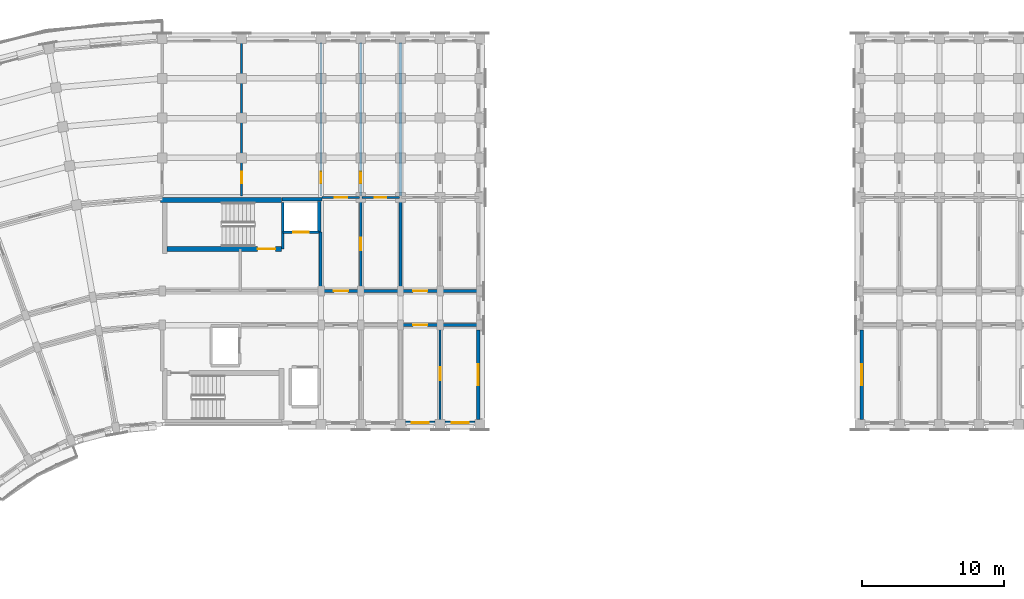
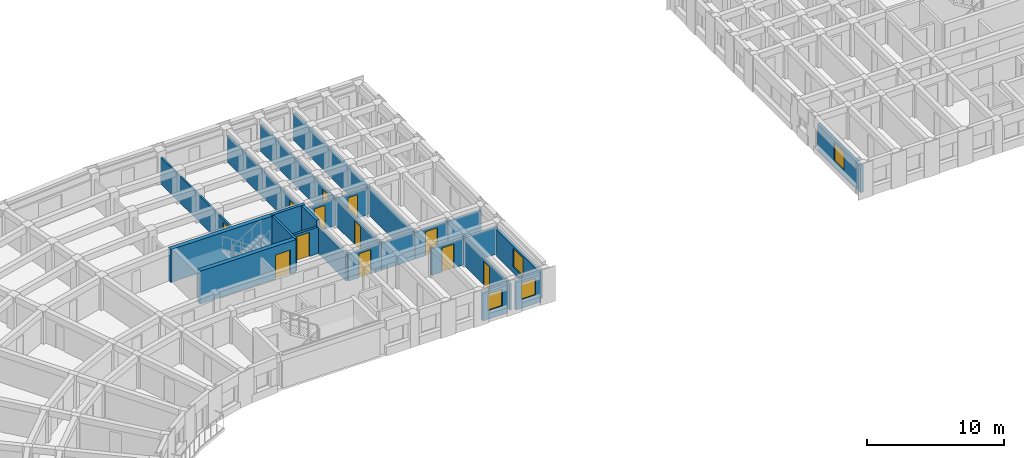
# One storey, part 28 of 57: 26 walls, 12 doors, 4 windows, 16 openings.
"""IFC4 building model written with IfcOpenShell, lengths in metres."""

from ifc_helpers import new_model, si_unit, direction, frame, frame_2d, origin, place, context, subcontext, project, spatial, rectangle, extrude, material, layer, layer_set, type_object, element, fill, save


model = new_model("IFC4")

# Units and contexts
model_context = context("Model", 3, precision=1e-05, world=origin(), true_north=direction((0.0, 1.0)))
body_context = subcontext(model_context, "Body", "Model", "MODEL_VIEW")
ifc_project = project(units=[si_unit("LENGTHUNIT", "METRE"), si_unit("AREAUNIT", "SQUARE_METRE"), si_unit("VOLUMEUNIT", "CUBIC_METRE"), si_unit("PLANEANGLEUNIT", "RADIAN"), si_unit("MASSUNIT", "GRAM", prefix="KILO")], contexts=[model_context])

# Site, building, storey
site_placement = place(None, origin())
site = spatial("IfcSite", under=ifc_project, at=site_placement, CompositionType="ELEMENT")
building_placement = place(site_placement, origin())
building = spatial("IfcBuilding", under=site, at=building_placement, Name="Kiranvali Square Residences", CompositionType="ELEMENT")
storey_placement = place(building_placement, frame((0.0, 0.0, 18.14990234375)))
storey = spatial("IfcBuildingStorey", under=building, at=storey_placement, Name="L05", CompositionType="ELEMENT", Elevation=18.14990234375)

# Wall, opening, door
ifc_material_1 = material(Name="Autoclaved aerated concrete blockwork masonry", Category="masonry")
ifc_layer_1 = layer(ifc_material_1, 0.199951171875)
ifc_layer_set_1 = layer_set([ifc_layer_1], Name="Autoclaved aerated concrete blockwork masonry")
wall_type_1 = type_object("IfcWallType", Name="WL-COR-200", PredefinedType="STANDARD", material=ifc_layer_set_1)
wall_1_placement = place(storey_placement, frame((59.39990234375, 116.0, 0.0), z_axis=(0.0, 0.0, 1.0), x_axis=(1.0, 0.0, 0.0)))
wall_1 = element("IfcWall", 1, at=wall_1_placement, inside=storey, type_object=wall_type_1, Name="L05 architectural wall WL-L05-A-A1CO-0", PredefinedType="STANDARD", context=body_context, shape_type="SweptSolid", body=[
    extrude(rectangle(XDim=2.800048828125, YDim=0.199951171875, at=frame_2d((1.39990234375, 0.0))), origin(), (0.0, 0.0, 1.0), 2.3720703125),
])
opening_1_placement = place(wall_1_placement, frame((0.89990234375, 0.0, 0.0)))
opening_1 = element("IfcOpeningElement", 2, at=opening_1_placement, cuts=wall_1, Name="Opening FD-APT-60", PredefinedType="OPENING", context=body_context, shape_type="SweptSolid", body=[
    extrude(rectangle(XDim=1.0, YDim=2.14990234375, at=frame_2d((0.5, 1.074951171875))), frame((0.0, 0.10986328125, 0.0), z_axis=(0.0, -1.0, 0.0), x_axis=(1.0, 0.0, 0.0)), (0.0, 0.0, 1.0), 0.219970703125),
])
ifc_material_2 = material(Name="Fire-rated acoustic hardwood and mineral-core door assembly", Category="wood")
door_type_1 = type_object("IfcDoorType", Name="DR-APT-1000", OperationType="NOTDEFINED", PredefinedType="DOOR", material=ifc_material_2)
door_1_placement = place(opening_1_placement, frame((1.0, 0.0, 0.0), z_axis=(0.0, 0.0, 1.0), x_axis=(-1.0, 0.0, 0.0)))
door_1 = element("IfcDoor", 3, at=door_1_placement, inside=storey, type_object=door_type_1, Name="L05 door DR-L05-0344 (DR-APT-1000)", OperationType="SINGLE_SWING_RIGHT", OverallHeight=2.14990234375, OverallWidth=1.0, PredefinedType="DOOR", context=body_context, shape_type="SweptSolid", body=[
    extrude(rectangle(XDim=1.0, YDim=2.14990234375, at=frame_2d((0.5, 1.074951171875))), frame((0.0, 0.02490234375, 0.0), z_axis=(0.0, -1.0, 0.0), x_axis=(1.0, 0.0, 0.0)), (0.0, 0.0, 1.0), 0.050048828125),
])
fill(opening_1, door_1)

# Wall
wall_2_placement = place(storey_placement, frame((62.199951171875, 116.0, 0.0), z_axis=(0.0, 0.0, 1.0), x_axis=(1.0, 0.0, 0.0)))
element("IfcWall", 4, at=wall_2_placement, inside=storey, type_object=wall_type_1, Name="L05 architectural wall WL-L05-A-A1CO-1", PredefinedType="STANDARD", context=body_context, shape_type="SweptSolid", body=[
    extrude(rectangle(XDim=2.800048828125, YDim=0.199951171875, at=frame_2d((1.39990234375, 0.0))), origin(), (0.0, 0.0, 1.0), 2.3720703125),
])

# Wall, opening, door
wall_3_placement = place(storey_placement, frame((65.0, 113.60009765625, 0.0), z_axis=(0.0, 0.0, 1.0), x_axis=(1.0, 0.0, 0.0)))
wall_3 = element("IfcWall", 5, at=wall_3_placement, inside=storey, type_object=wall_type_1, Name="L05 architectural wall WL-L05-A-A1CI-2", PredefinedType="STANDARD", context=body_context, shape_type="SweptSolid", body=[
    extrude(rectangle(XDim=2.800048828125, YDim=0.199951171875, at=frame_2d((1.39990234375, 0.0))), origin(), (0.0, 0.0, 1.0), 2.3720703125),
])
opening_2_placement = place(wall_3_placement, frame((0.89990234375, 0.0, 0.0)))
opening_2 = element("IfcOpeningElement", 6, at=opening_2_placement, cuts=wall_3, Name="Opening FD-APT-60", PredefinedType="OPENING", context=body_context, shape_type="SweptSolid", body=[
    extrude(rectangle(XDim=1.0, YDim=2.14990234375, at=frame_2d((0.5, 1.074951171875))), frame((0.0, 0.10986328125, 0.0), z_axis=(0.0, -1.0, 0.0), x_axis=(1.0, 0.0, 0.0)), (0.0, 0.0, 1.0), 0.219970703125),
])
door_2_placement = place(opening_2_placement, frame((1.0, 0.0, 0.0), z_axis=(0.0, 0.0, 1.0), x_axis=(-1.0, 0.0, 0.0)))
door_2 = element("IfcDoor", 7, at=door_2_placement, inside=storey, type_object=door_type_1, Name="L05 door DR-L05-0346 (DR-APT-1000)", OperationType="SINGLE_SWING_RIGHT", OverallHeight=2.14990234375, OverallWidth=1.0, PredefinedType="DOOR", context=body_context, shape_type="SweptSolid", body=[
    extrude(rectangle(XDim=1.0, YDim=2.14990234375, at=frame_2d((0.5, 1.074951171875))), frame((0.0, 0.02490234375, 0.0), z_axis=(0.0, -1.0, 0.0), x_axis=(1.0, 0.0, 0.0)), (0.0, 0.0, 1.0), 0.050048828125),
])
fill(opening_2, door_2)

wall_4_placement = place(storey_placement, frame((65.0, 116.0, 0.0), z_axis=(0.0, 0.0, 1.0), x_axis=(1.0, 0.0, 0.0)))
wall_4 = element("IfcWall", 8, at=wall_4_placement, inside=storey, type_object=wall_type_1, Name="L05 architectural wall WL-L05-A-A1CO-2", PredefinedType="STANDARD", context=body_context, shape_type="SweptSolid", body=[
    extrude(rectangle(XDim=2.800048828125, YDim=0.199951171875, at=frame_2d((1.39990234375, 0.0))), origin(), (0.0, 0.0, 1.0), 2.3720703125),
])
opening_3_placement = place(wall_4_placement, frame((0.89990234375, 0.0, 0.0)))
opening_3 = element("IfcOpeningElement", 9, at=opening_3_placement, cuts=wall_4, Name="Opening FD-APT-60", PredefinedType="OPENING", context=body_context, shape_type="SweptSolid", body=[
    extrude(rectangle(XDim=1.0, YDim=2.14990234375, at=frame_2d((0.5, 1.074951171875))), frame((0.0, 0.10986328125, 0.0), z_axis=(0.0, -1.0, 0.0), x_axis=(1.0, 0.0, 0.0)), (0.0, 0.0, 1.0), 0.219970703125),
])
door_3_placement = place(opening_3_placement, frame((1.0, 0.0, 0.0), z_axis=(0.0, 0.0, 1.0), x_axis=(-1.0, 0.0, 0.0)))
door_3 = element("IfcDoor", 10, at=door_3_placement, inside=storey, type_object=door_type_1, Name="L05 door DR-L05-0348 (DR-APT-1000)", OperationType="SINGLE_SWING_RIGHT", OverallHeight=2.14990234375, OverallWidth=1.0, PredefinedType="DOOR", context=body_context, shape_type="SweptSolid", body=[
    extrude(rectangle(XDim=1.0, YDim=2.14990234375, at=frame_2d((0.5, 1.074951171875))), frame((0.0, 0.02490234375, 0.0), z_axis=(0.0, -1.0, 0.0), x_axis=(1.0, 0.0, 0.0)), (0.0, 0.0, 1.0), 0.050048828125),
])
fill(opening_3, door_3)

# Walls
for number, where, z_axis, x_axis, name in (
    (11, (67.800048828125, 113.60009765625, 0.0), (0.0, 0.0, 1.0), (1.0, 0.0, 0.0), "L05 architectural wall WL-L05-A-A1CI-3"),
    (12, (67.800048828125, 116.0, 0.0), (0.0, 0.0, 1.0), (1.0, 0.0, 0.0), "L05 architectural wall WL-L05-A-A1CO-3"),
):
    element("IfcWall", number, at=place(storey_placement, frame(where, z_axis=z_axis, x_axis=x_axis)), inside=storey, type_object=wall_type_1, Name=name, PredefinedType="STANDARD", context=body_context, shape_type="SweptSolid", body=[
        extrude(rectangle(XDim=2.800048828125, YDim=0.199951171875, at=frame_2d((1.39990234375, 0.0))), origin(), (0.0, 0.0, 1.0), 2.3720703125),
    ])
ifc_layer_2 = layer(ifc_material_1, 0.219970703125)
ifc_layer_set_2 = layer_set([ifc_layer_2], Name="Autoclaved aerated concrete blockwork masonry")
wall_type_2 = type_object("IfcWallType", Name="WL-DEM-220", PredefinedType="STANDARD", material=ifc_layer_set_2)
wall_5_placement = place(storey_placement, frame((65.0, 116.050048828125, 0.0), z_axis=(0.0, 0.0, 1.0), x_axis=(0.0, 1.0, 0.0)))
element("IfcWall", 13, at=wall_5_placement, inside=storey, type_object=wall_type_2, Name="L05 architectural wall WL-L05-A-A1TO1-2", PredefinedType="STANDARD", context=body_context, shape_type="SweptSolid", body=[
    extrude(rectangle(XDim=6.530029296875, YDim=0.219970703125, at=frame_2d((3.26513671875, 0.0))), origin(), (0.0, 0.0, 1.0), 2.3720703125),
])
wall_6_placement = place(storey_placement, frame((65.0, 122.699951171875, 0.0), z_axis=(0.0, 0.0, 1.0), x_axis=(0.0, 1.0, 0.0)))
element("IfcWall", 14, at=wall_6_placement, inside=storey, type_object=wall_type_2, Name="L05 architectural wall WL-L05-A-A1TO2-2", PredefinedType="STANDARD", context=body_context, shape_type="SweptSolid", body=[
    extrude(rectangle(XDim=10.820068359375, YDim=0.219970703125, at=frame_2d((5.41015625, 0.0))), origin(), (0.0, 0.0, 1.0), 2.3720703125),
])

# Wall, opening, window
ifc_material_3 = material(Name="Breathable lime-rendered clay brick masonry", Category="masonry")
ifc_layer_3 = layer(ifc_material_3, 0.25)
ifc_layer_set_3 = layer_set([ifc_layer_3], Name="Breathable lime-rendered clay brick masonry")
wall_type_3 = type_object("IfcWallType", Name="WL-EXT-250", PredefinedType="STANDARD", material=ifc_layer_set_3)
wall_7_placement = place(storey_placement, frame((65.353515625, 106.72509765625, 0.0), z_axis=(0.0, 0.0, 1.0), x_axis=(1.0, 0.0, 0.0)))
wall_7 = element("IfcWall", 15, at=wall_7_placement, inside=storey, type_object=wall_type_3, Name="L05 exterior wall A-L05-A1I-2", PredefinedType="STANDARD", context=body_context, shape_type="SweptSolid", body=[
    extrude(rectangle(XDim=2.093017578125, YDim=0.25, at=frame_2d((1.04638671875, 0.0))), origin(), (0.0, 0.0, 1.0), 2.47216796875),
])
opening_4_placement = place(wall_7_placement, frame((0.446533203125, 0.0, 0.77197265625)))
opening_4 = element("IfcOpeningElement", 16, at=opening_4_placement, cuts=wall_7, Name="Opening W-06", PredefinedType="OPENING", context=body_context, shape_type="SweptSolid", body=[
    extrude(rectangle(XDim=1.199951171875, YDim=1.5, at=frame_2d((0.60009765625, 0.75))), frame((0.0, 0.135009765625, 0.0), z_axis=(0.0, -1.0, 0.0), x_axis=(1.0, 0.0, 0.0)), (0.0, 0.0, 1.0), 0.27001953125),
])
ifc_material_4 = material(Name="Solar-control low-e double glazing", Category="glass")
window_type_1 = type_object("IfcWindowType", Name="WIN-RES-1200x1500", PartitioningType="SINGLE_PANEL", PredefinedType="WINDOW", material=ifc_material_4)
window_1_placement = place(opening_4_placement, origin())
window_1 = element("IfcWindow", 17, at=window_1_placement, inside=storey, type_object=window_type_1, Name="L05 recessed window A-L05-A1I-2", OverallHeight=1.5, OverallWidth=1.199951171875, PartitioningType="SINGLE_PANEL", PredefinedType="WINDOW", context=body_context, shape_type="SweptSolid", body=[
    extrude(rectangle(XDim=1.199951171875, YDim=1.5, at=frame_2d((0.60009765625, 0.75))), frame((0.0, 0.030029296875, 0.0), z_axis=(0.0, -1.0, 0.0), x_axis=(1.0, 0.0, 0.0)), (0.0, 0.0, 1.0), 0.06005859375),
])
fill(opening_4, window_1)

wall_8_placement = place(storey_placement, frame((68.153564453125, 106.72509765625, 0.0), z_axis=(0.0, 0.0, 1.0), x_axis=(1.0, 0.0, 0.0)))
wall_8 = element("IfcWall", 18, at=wall_8_placement, inside=storey, type_object=wall_type_3, Name="L05 exterior wall A-L05-A1I-3", PredefinedType="STANDARD", context=body_context, shape_type="SweptSolid", body=[
    extrude(rectangle(XDim=2.093017578125, YDim=0.25, at=frame_2d((1.04638671875, 0.0))), origin(), (0.0, 0.0, 1.0), 2.47216796875),
])
opening_5_placement = place(wall_8_placement, frame((0.446533203125, 0.0, 0.77197265625)))
opening_5 = element("IfcOpeningElement", 19, at=opening_5_placement, cuts=wall_8, Name="Opening W-06", PredefinedType="OPENING", context=body_context, shape_type="SweptSolid", body=[
    extrude(rectangle(XDim=1.199951171875, YDim=1.5, at=frame_2d((0.60009765625, 0.75))), frame((0.0, 0.135009765625, 0.0), z_axis=(0.0, -1.0, 0.0), x_axis=(1.0, 0.0, 0.0)), (0.0, 0.0, 1.0), 0.27001953125),
])
window_2_placement = place(opening_5_placement, origin())
window_2 = element("IfcWindow", 20, at=window_2_placement, inside=storey, type_object=window_type_1, Name="L05 recessed window A-L05-A1I-3", OverallHeight=1.5, OverallWidth=1.199951171875, PartitioningType="SINGLE_PANEL", PredefinedType="WINDOW", context=body_context, shape_type="SweptSolid", body=[
    extrude(rectangle(XDim=1.199951171875, YDim=1.5, at=frame_2d((0.60009765625, 0.75))), frame((0.0, 0.030029296875, 0.0), z_axis=(0.0, -1.0, 0.0), x_axis=(1.0, 0.0, 0.0)), (0.0, 0.0, 1.0), 0.06005859375),
])
fill(opening_5, window_2)

wall_9_placement = place(storey_placement, frame((70.47509765625, 106.95361328125, 0.0), z_axis=(0.0, 0.0, 1.0), x_axis=(0.0, 1.0, 0.0)))
wall_9 = element("IfcWall", 21, at=wall_9_placement, inside=storey, type_object=wall_type_3, Name="L05 exterior wall A-L05-A1END-0", PredefinedType="STANDARD", context=body_context, shape_type="SweptSolid", body=[
    extrude(rectangle(XDim=6.29296875, YDim=0.25, at=frame_2d((3.146484375, 0.0))), origin(), (0.0, 0.0, 1.0), 2.3720703125),
])
opening_6_placement = place(wall_9_placement, frame((2.396484375, 0.0, 0.52197265625)))
opening_6 = element("IfcOpeningElement", 22, at=opening_6_placement, cuts=wall_9, Name="Opening W-05", PredefinedType="OPENING", context=body_context, shape_type="SweptSolid", body=[
    extrude(rectangle(XDim=1.5, YDim=1.64990234375, at=frame_2d((0.75, 0.824951171875))), frame((0.0, 0.135009765625, 0.0), z_axis=(0.0, -1.0, 0.0), x_axis=(1.0, 0.0, 0.0)), (0.0, 0.0, 1.0), 0.27001953125),
])
window_type_2 = type_object("IfcWindowType", Name="WIN-RES-1500x1650", PartitioningType="DOUBLE_PANEL_VERTICAL", PredefinedType="WINDOW", material=ifc_material_4)
window_3_placement = place(opening_6_placement, origin())
window_3 = element("IfcWindow", 23, at=window_3_placement, inside=storey, type_object=window_type_2, Name="L05 recessed window A-L05-A1END-0", OverallHeight=1.64990234375, OverallWidth=1.5, PartitioningType="DOUBLE_PANEL_VERTICAL", PredefinedType="WINDOW", context=body_context, shape_type="SweptSolid", body=[
    extrude(rectangle(XDim=1.5, YDim=1.64990234375, at=frame_2d((0.75, 0.824951171875))), frame((0.0, 0.030029296875, 0.0), z_axis=(0.0, -1.0, 0.0), x_axis=(1.0, 0.0, 0.0)), (0.0, 0.0, 1.0), 0.06005859375),
])
fill(opening_6, window_3)

wall_10_placement = place(storey_placement, frame((97.52490234375, 106.95361328125, 0.0), z_axis=(0.0, 0.0, 1.0), x_axis=(0.0, 1.0, 0.0)))
wall_10 = element("IfcWall", 24, at=wall_10_placement, inside=storey, type_object=wall_type_3, Name="L05 exterior wall B-L05-A1END-0", PredefinedType="STANDARD", context=body_context, shape_type="SweptSolid", body=[
    extrude(rectangle(XDim=6.29296875, YDim=0.25, at=frame_2d((3.146484375, 0.0))), origin(), (0.0, 0.0, 1.0), 2.3720703125),
])
opening_7_placement = place(wall_10_placement, frame((2.396484375, 0.0, 0.52197265625)))
opening_7 = element("IfcOpeningElement", 25, at=opening_7_placement, cuts=wall_10, Name="Opening W-05", PredefinedType="OPENING", context=body_context, shape_type="SweptSolid", body=[
    extrude(rectangle(XDim=1.5, YDim=1.64990234375, at=frame_2d((0.75, 0.824951171875))), frame((0.0, 0.135009765625, 0.0), z_axis=(0.0, -1.0, 0.0), x_axis=(1.0, 0.0, 0.0)), (0.0, 0.0, 1.0), 0.27001953125),
])
window_4_placement = place(opening_7_placement, origin())
window_4 = element("IfcWindow", 26, at=window_4_placement, inside=storey, type_object=window_type_2, Name="L05 recessed window B-L05-A1END-0", OverallHeight=1.64990234375, OverallWidth=1.5, PartitioningType="DOUBLE_PANEL_VERTICAL", PredefinedType="WINDOW", context=body_context, shape_type="SweptSolid", body=[
    extrude(rectangle(XDim=1.5, YDim=1.64990234375, at=frame_2d((0.75, 0.824951171875))), frame((0.0, 0.030029296875, 0.0), z_axis=(0.0, -1.0, 0.0), x_axis=(1.0, 0.0, 0.0)), (0.0, 0.0, 1.0), 0.06005859375),
])
fill(opening_7, window_4)

# Wall
ifc_layer_4 = layer(ifc_material_1, 0.199951171875)
ifc_layer_set_4 = layer_set([ifc_layer_4], Name="Autoclaved aerated concrete blockwork masonry")
wall_type_4 = type_object("IfcWallType", Name="WL-FFL-200", PredefinedType="STANDARD", material=ifc_layer_set_4)
wall_11_placement = place(storey_placement, frame((59.35009765625, 116.02001953125, 0.0), z_axis=(0.0, 0.0, 1.0), x_axis=(0.0, 1.0, 0.0)))
element("IfcWall", 27, at=wall_11_placement, inside=storey, type_object=wall_type_4, Name="L05 architectural wall WL-L05-A-FF-END", PredefinedType="STANDARD", context=body_context, shape_type="SweptSolid", body=[
    extrude(rectangle(XDim=4.1298828125, YDim=0.199951171875, at=frame_2d((2.06494140625, 0.0))), origin(), (0.0, 0.0, 1.0), 2.3720703125),
])

# Wall, opening, door
wall_12_placement = place(storey_placement, frame((56.699951171875, 120.14990234375, 0.0), z_axis=(0.0, 0.0, 1.0), x_axis=(1.0, 0.0, 0.0)))
wall_12 = element("IfcWall", 28, at=wall_12_placement, inside=storey, type_object=wall_type_4, Name="L05 architectural wall WL-L05-A-FF-LFT", PredefinedType="STANDARD", context=body_context, shape_type="SweptSolid", body=[
    extrude(rectangle(XDim=2.550048828125, YDim=0.199951171875, at=frame_2d((1.27490234375, 0.0))), origin(), (0.0, 0.0, 1.0), 2.3720703125),
])
opening_8_placement = place(wall_12_placement, frame((0.72509765625, 0.0, 0.0)))
opening_8 = element("IfcOpeningElement", 29, at=opening_8_placement, cuts=wall_12, Name="Opening LD-FF-110", PredefinedType="OPENING", context=body_context, shape_type="SweptSolid", body=[
    extrude(rectangle(XDim=1.10009765625, YDim=2.14990234375, at=frame_2d((0.550048828125, 1.074951171875))), frame((0.0, 0.10986328125, 0.0), z_axis=(0.0, -1.0, 0.0), x_axis=(1.0, 0.0, 0.0)), (0.0, 0.0, 1.0), 0.219970703125),
])
door_type_2 = type_object("IfcDoorType", Name="DR-LIFT-FF-1100", OperationType="SLIDING_TO_LEFT", PredefinedType="DOOR", material=ifc_material_2)
door_4_placement = place(opening_8_placement, origin())
door_4 = element("IfcDoor", 30, at=door_4_placement, inside=storey, type_object=door_type_2, Name="L05 door DR-L05-0332 (DR-LIFT-FF-1100)", OperationType="SLIDING_TO_LEFT", OverallHeight=2.14990234375, OverallWidth=1.10009765625, PredefinedType="DOOR", context=body_context, shape_type="SweptSolid", body=[
    extrude(rectangle(XDim=1.10009765625, YDim=2.14990234375, at=frame_2d((0.550048828125, 1.074951171875))), frame((0.0, 0.02490234375, 0.0), z_axis=(0.0, -1.0, 0.0), x_axis=(1.0, 0.0, 0.0)), (0.0, 0.0, 1.0), 0.050048828125),
])
fill(opening_8, door_4)

ifc_material_5 = material(Name="Acoustic gypsum board drylined partition", Category="gypsum")
ifc_layer_5 = layer(ifc_material_5, 0.14990234375)
ifc_layer_set_5 = layer_set([ifc_layer_5], Name="Acoustic gypsum board drylined partition")
wall_type_5 = type_object("IfcWallType", Name="WL-PRT-150", PredefinedType="PARTITIONING", material=ifc_layer_set_5)
wall_13_placement = place(storey_placement, frame((53.800048828125, 122.699951171875, 0.0), z_axis=(0.0, 0.0, 1.0), x_axis=(0.0, 1.0, 0.0)))
wall_13 = element("IfcWall", 31, at=wall_13_placement, inside=storey, type_object=wall_type_5, Name="L05 architectural wall WL-L05-A-CF-MID", PredefinedType="PARTITIONING", context=body_context, shape_type="SweptSolid", body=[
    extrude(rectangle(XDim=10.820068359375, YDim=0.14990234375, at=frame_2d((5.41015625, 0.0))), origin(), (0.0, 0.0, 1.0), 2.3720703125),
])
opening_9_placement = place(wall_13_placement, frame((0.8994140625, 0.0, 0.0)))
opening_9 = element("IfcOpeningElement", 32, at=opening_9_placement, cuts=wall_13, Name="Opening ID-WET", PredefinedType="OPENING", context=body_context, shape_type="SweptSolid", body=[
    extrude(rectangle(XDim=0.800048828125, YDim=2.10009765625, at=frame_2d((0.39990234375, 1.050048828125))), frame((0.0, 0.0849609375, 0.0), z_axis=(0.0, -1.0, 0.0), x_axis=(1.0, 0.0, 0.0)), (0.0, 0.0, 1.0), 0.169921875),
])
ifc_material_6 = material(Name="Solid seasoned teak hardwood joinery", Category="wood")
door_type_3 = type_object("IfcDoorType", Name="DR-WET-800", OperationType="NOTDEFINED", PredefinedType="DOOR", material=ifc_material_6)
door_5_placement = place(opening_9_placement, origin())
door_5 = element("IfcDoor", 33, at=door_5_placement, inside=storey, type_object=door_type_3, Name="L05 door DR-L05-0341 (DR-WET-800)", OperationType="SINGLE_SWING_LEFT", OverallHeight=2.10009765625, OverallWidth=0.800048828125, PredefinedType="DOOR", context=body_context, shape_type="SweptSolid", body=[
    extrude(rectangle(XDim=0.800048828125, YDim=2.10009765625, at=frame_2d((0.39990234375, 1.050048828125))), frame((0.0, 0.02490234375, 0.0), z_axis=(0.0, -1.0, 0.0), x_axis=(1.0, 0.0, 0.0)), (0.0, 0.0, 1.0), 0.050048828125),
])
fill(opening_9, door_5)

wall_14_placement = place(storey_placement, frame((59.39990234375, 122.699951171875, 0.0), z_axis=(0.0, 0.0, 1.0), x_axis=(0.0, 1.0, 0.0)))
wall_14 = element("IfcWall", 34, at=wall_14_placement, inside=storey, type_object=wall_type_5, Name="L05 architectural wall WL-L05-A-A1TO2-0", PredefinedType="PARTITIONING", context=body_context, shape_type="SweptSolid", body=[
    extrude(rectangle(XDim=10.820068359375, YDim=0.14990234375, at=frame_2d((5.41015625, 0.0))), origin(), (0.0, 0.0, 1.0), 2.3720703125),
])
opening_10_placement = place(wall_14_placement, frame((0.8994140625, 0.0, 0.0)))
opening_10 = element("IfcOpeningElement", 35, at=opening_10_placement, cuts=wall_14, Name="Opening ID-WET", PredefinedType="OPENING", context=body_context, shape_type="SweptSolid", body=[
    extrude(rectangle(XDim=0.800048828125, YDim=2.10009765625, at=frame_2d((0.39990234375, 1.050048828125))), frame((0.0, 0.0849609375, 0.0), z_axis=(0.0, -1.0, 0.0), x_axis=(1.0, 0.0, 0.0)), (0.0, 0.0, 1.0), 0.169921875),
])
door_6_placement = place(opening_10_placement, frame((0.800048828125, 0.0, 0.0), z_axis=(0.0, 0.0, 1.0), x_axis=(-1.0, 0.0, 0.0)))
door_6 = element("IfcDoor", 36, at=door_6_placement, inside=storey, type_object=door_type_3, Name="L05 door DR-L05-0350 (DR-WET-800)", OperationType="SINGLE_SWING_RIGHT", OverallHeight=2.10009765625, OverallWidth=0.800048828125, PredefinedType="DOOR", context=body_context, shape_type="SweptSolid", body=[
    extrude(rectangle(XDim=0.800048828125, YDim=2.10009765625, at=frame_2d((0.39990234375, 1.050048828125))), frame((0.0, 0.02490234375, 0.0), z_axis=(0.0, -1.0, 0.0), x_axis=(1.0, 0.0, 0.0)), (0.0, 0.0, 1.0), 0.050048828125),
])
fill(opening_10, door_6)

wall_15_placement = place(storey_placement, frame((62.199951171875, 116.050048828125, 0.0), z_axis=(0.0, 0.0, 1.0), x_axis=(0.0, 1.0, 0.0)))
wall_15 = element("IfcWall", 37, at=wall_15_placement, inside=storey, type_object=wall_type_5, Name="L05 architectural wall WL-L05-A-A1TO1-1", PredefinedType="PARTITIONING", context=body_context, shape_type="SweptSolid", body=[
    extrude(rectangle(XDim=6.530029296875, YDim=0.14990234375, at=frame_2d((3.26513671875, 0.0))), origin(), (0.0, 0.0, 1.0), 2.3720703125),
])
opening_11_placement = place(wall_15_placement, frame((2.81494140625, 0.0, 0.0)))
opening_11 = element("IfcOpeningElement", 38, at=opening_11_placement, cuts=wall_15, Name="Opening ID-1", PredefinedType="OPENING", context=body_context, shape_type="SweptSolid", body=[
    extrude(rectangle(XDim=0.89990234375, YDim=2.10009765625, at=frame_2d((0.449951171875, 1.050048828125))), frame((0.0, 0.0849609375, 0.0), z_axis=(0.0, -1.0, 0.0), x_axis=(1.0, 0.0, 0.0)), (0.0, 0.0, 1.0), 0.169921875),
])
door_type_4 = type_object("IfcDoorType", Name="DR-INT-900", OperationType="NOTDEFINED", PredefinedType="DOOR", material=ifc_material_6)
door_7_placement = place(opening_11_placement, frame((0.89990234375, 0.0, 0.0), z_axis=(0.0, 0.0, 1.0), x_axis=(-1.0, 0.0, 0.0)))
door_7 = element("IfcDoor", 39, at=door_7_placement, inside=storey, type_object=door_type_4, Name="L05 door DR-L05-0352 (DR-INT-900)", OperationType="SINGLE_SWING_RIGHT", OverallHeight=2.10009765625, OverallWidth=0.89990234375, PredefinedType="DOOR", context=body_context, shape_type="SweptSolid", body=[
    extrude(rectangle(XDim=0.89990234375, YDim=2.10009765625, at=frame_2d((0.449951171875, 1.050048828125))), frame((0.0, 0.02490234375, 0.0), z_axis=(0.0, -1.0, 0.0), x_axis=(1.0, 0.0, 0.0)), (0.0, 0.0, 1.0), 0.050048828125),
])
fill(opening_11, door_7)

wall_16_placement = place(storey_placement, frame((62.199951171875, 122.699951171875, 0.0), z_axis=(0.0, 0.0, 1.0), x_axis=(0.0, 1.0, 0.0)))
wall_16 = element("IfcWall", 40, at=wall_16_placement, inside=storey, type_object=wall_type_5, Name="L05 architectural wall WL-L05-A-A1TO2-1", PredefinedType="PARTITIONING", context=body_context, shape_type="SweptSolid", body=[
    extrude(rectangle(XDim=10.820068359375, YDim=0.14990234375, at=frame_2d((5.41015625, 0.0))), origin(), (0.0, 0.0, 1.0), 2.3720703125),
])
opening_12_placement = place(wall_16_placement, frame((0.8994140625, 0.0, 0.0)))
opening_12 = element("IfcOpeningElement", 41, at=opening_12_placement, cuts=wall_16, Name="Opening ID-WET", PredefinedType="OPENING", context=body_context, shape_type="SweptSolid", body=[
    extrude(rectangle(XDim=0.800048828125, YDim=2.10009765625, at=frame_2d((0.39990234375, 1.050048828125))), frame((0.0, 0.0849609375, 0.0), z_axis=(0.0, -1.0, 0.0), x_axis=(1.0, 0.0, 0.0)), (0.0, 0.0, 1.0), 0.169921875),
])
door_8_placement = place(opening_12_placement, origin())
door_8 = element("IfcDoor", 42, at=door_8_placement, inside=storey, type_object=door_type_3, Name="L05 door DR-L05-0353 (DR-WET-800)", OperationType="SINGLE_SWING_LEFT", OverallHeight=2.10009765625, OverallWidth=0.800048828125, PredefinedType="DOOR", context=body_context, shape_type="SweptSolid", body=[
    extrude(rectangle(XDim=0.800048828125, YDim=2.10009765625, at=frame_2d((0.39990234375, 1.050048828125))), frame((0.0, 0.02490234375, 0.0), z_axis=(0.0, -1.0, 0.0), x_axis=(1.0, 0.0, 0.0)), (0.0, 0.0, 1.0), 0.050048828125),
])
fill(opening_12, door_8)

wall_17_placement = place(storey_placement, frame((67.800048828125, 106.800048828125, 0.0), z_axis=(0.0, 0.0, 1.0), x_axis=(0.0, 1.0, 0.0)))
wall_17 = element("IfcWall", 43, at=wall_17_placement, inside=storey, type_object=wall_type_5, Name="L05 architectural wall WL-L05-A-A1TI-3", PredefinedType="PARTITIONING", context=body_context, shape_type="SweptSolid", body=[
    extrude(rectangle(XDim=6.75, YDim=0.14990234375, at=frame_2d((3.375, 0.0))), origin(), (0.0, 0.0, 1.0), 2.3720703125),
])
opening_13_placement = place(wall_17_placement, frame((2.925048828125, 0.0, 0.0)))
opening_13 = element("IfcOpeningElement", 44, at=opening_13_placement, cuts=wall_17, Name="Opening ID-1", PredefinedType="OPENING", context=body_context, shape_type="SweptSolid", body=[
    extrude(rectangle(XDim=0.89990234375, YDim=2.10009765625, at=frame_2d((0.449951171875, 1.050048828125))), frame((0.0, 0.0849609375, 0.0), z_axis=(0.0, -1.0, 0.0), x_axis=(1.0, 0.0, 0.0)), (0.0, 0.0, 1.0), 0.169921875),
])
door_9_placement = place(opening_13_placement, frame((0.89990234375, 0.0, 0.0), z_axis=(0.0, 0.0, 1.0), x_axis=(-1.0, 0.0, 0.0)))
door_9 = element("IfcDoor", 45, at=door_9_placement, inside=storey, type_object=door_type_4, Name="L05 door DR-L05-0354 (DR-INT-900)", OperationType="SINGLE_SWING_RIGHT", OverallHeight=2.10009765625, OverallWidth=0.89990234375, PredefinedType="DOOR", context=body_context, shape_type="SweptSolid", body=[
    extrude(rectangle(XDim=0.89990234375, YDim=2.10009765625, at=frame_2d((0.449951171875, 1.050048828125))), frame((0.0, 0.02490234375, 0.0), z_axis=(0.0, -1.0, 0.0), x_axis=(1.0, 0.0, 0.0)), (0.0, 0.0, 1.0), 0.050048828125),
])
fill(opening_13, door_9)

# Walls
ifc_layer_6 = layer(ifc_material_1, 0.199951171875)
ifc_layer_set_6 = layer_set([ifc_layer_6], Name="Autoclaved aerated concrete blockwork masonry")
wall_type_6 = type_object("IfcWallType", Name="WL-SHF-200", PredefinedType="STANDARD", material=ifc_layer_set_6)
wall_18_placement = place(storey_placement, frame((56.699951171875, 118.949951171875, 0.0), z_axis=(0.0, 0.0, 1.0), x_axis=(0.0, 1.0, 0.0)))
element("IfcWall", 46, at=wall_18_placement, inside=storey, type_object=wall_type_6, Name="L05 architectural wall WL-L05-A-FF-SHF", PredefinedType="STANDARD", context=body_context, shape_type="SweptSolid", body=[
    extrude(rectangle(XDim=3.300048828125, YDim=0.199951171875, at=frame_2d((1.64990234375, 0.0))), origin(), (0.0, 0.0, 1.0), 2.93017578125),
])
ifc_material_7 = material(Name="Concrete M45 (45 MPa)", Category="concrete")
ifc_layer_7 = layer(ifc_material_7, 0.25)
ifc_layer_set_7 = layer_set([ifc_layer_7], Name="Concrete M45 (45 MPa)")
wall_type_7 = type_object("IfcWallType", Name="WL-SHR-250", PredefinedType="SHEAR", material=ifc_layer_set_7)
wall_19_placement = place(storey_placement, frame((56.64990234375, 122.47509765625, 0.0), z_axis=(0.0, 0.0, 1.0), x_axis=(1.0, 0.0, 0.0)))
element("IfcWall", 47, at=wall_19_placement, inside=storey, type_object=wall_type_7, Name="Block A core shear wall SW-AFF-BK-L05", PredefinedType="SHEAR", context=body_context, shape_type="SweptSolid", body=[
    extrude(rectangle(XDim=2.800048828125, YDim=0.25, at=frame_2d((1.39990234375, 0.0))), origin(), (0.0, 0.0, 1.0), 2.93017578125),
])
wall_20_placement = place(storey_placement, frame((59.27490234375, 120.14990234375, 0.0), z_axis=(0.0, 0.0, 1.0), x_axis=(0.0, 1.0, 0.0)))
element("IfcWall", 48, at=wall_20_placement, inside=storey, type_object=wall_type_7, Name="Block A core shear wall SW-AFF-SD-L05", PredefinedType="SHEAR", context=body_context, shape_type="SweptSolid", body=[
    extrude(rectangle(XDim=2.150146484375, YDim=0.25, at=frame_2d((1.0751953125, 0.0))), origin(), (0.0, 0.0, 1.0), 2.93017578125),
])
ifc_material_8 = material(Name="Concrete M50 (50 MPa)", Category="concrete")
ifc_layer_8 = layer(ifc_material_8, 0.35009765625)
ifc_layer_set_8 = layer_set([ifc_layer_8], Name="Concrete M50 (50 MPa)")
wall_type_8 = type_object("IfcWallType", Name="WL-SHR-350", PredefinedType="SHEAR", material=ifc_layer_set_8)
wall_21_placement = place(storey_placement, frame((48.080078125, 122.425048828125, 0.0), z_axis=(0.0, 0.0, 1.0), x_axis=(1.0, 0.0, 0.0)))
element("IfcWall", 49, at=wall_21_placement, inside=storey, type_object=wall_type_8, Name="Block A core shear wall SW-A1-OUT-L05", PredefinedType="SHEAR", context=body_context, shape_type="SweptSolid", body=[
    extrude(rectangle(XDim=8.544921875, YDim=0.35009765625, at=frame_2d((4.2724609375, 0.0))), origin(), (0.0, 0.0, 1.0), 2.93017578125),
])

# Wall, opening, door
wall_22_placement = place(storey_placement, frame((48.550048828125, 118.97509765625, 0.0), z_axis=(0.0, 0.0, 1.0), x_axis=(1.0, 0.0, 0.0)))
wall_22 = element("IfcWall", 50, at=wall_22_placement, inside=storey, type_object=wall_type_8, Name="Block A core shear wall SW-A1-IN-L05", PredefinedType="SHEAR", context=body_context, shape_type="SweptSolid", body=[
    extrude(rectangle(XDim=8.074951171875, YDim=0.35009765625, at=frame_2d((4.03759765625, 0.0))), origin(), (0.0, 0.0, 1.0), 2.93017578125),
])
opening_14_placement = place(wall_22_placement, frame((6.3798828125, 0.0, 0.0)))
opening_14 = element("IfcOpeningElement", 51, at=opening_14_placement, cuts=wall_22, Name="Opening FD-ST-120", PredefinedType="OPENING", context=body_context, shape_type="SweptSolid", body=[
    extrude(rectangle(XDim=1.239990234375, YDim=2.14990234375, at=frame_2d((0.6201171875, 1.074951171875))), frame((0.0, 0.18505859375, 0.0), z_axis=(0.0, -1.0, 0.0), x_axis=(1.0, 0.0, 0.0)), (0.0, 0.0, 1.0), 0.3701171875),
])
door_type_5 = type_object("IfcDoorType", Name="DR-FD120-1200", OperationType="NOTDEFINED", PredefinedType="DOOR", material=ifc_material_2)
door_10_placement = place(opening_14_placement, origin())
door_10 = element("IfcDoor", 52, at=door_10_placement, inside=storey, type_object=door_type_5, Name="L05 door DR-L05-0333 (DR-FD120-1200)", OperationType="SINGLE_SWING_LEFT", OverallHeight=2.14990234375, OverallWidth=1.239990234375, PredefinedType="DOOR", context=body_context, shape_type="SweptSolid", body=[
    extrude(rectangle(XDim=1.239990234375, YDim=2.14990234375, at=frame_2d((0.6201171875, 1.074951171875))), frame((0.0, 0.02490234375, 0.0), z_axis=(0.0, -1.0, 0.0), x_axis=(1.0, 0.0, 0.0)), (0.0, 0.0, 1.0), 0.050048828125),
])
fill(opening_14, door_10)

ifc_layer_9 = layer(ifc_material_1, 0.14990234375)
ifc_layer_set_9 = layer_set([ifc_layer_9], Name="Autoclaved aerated concrete blockwork masonry")
wall_type_9 = type_object("IfcWallType", Name="WL-WET-150", PredefinedType="PLUMBINGWALL", material=ifc_layer_set_9)
wall_23_placement = place(storey_placement, frame((59.47998046875, 122.60009765625, 0.0), z_axis=(0.0, 0.0, 1.0), x_axis=(1.0, 0.0, 0.0)))
wall_23 = element("IfcWall", 53, at=wall_23_placement, inside=storey, type_object=wall_type_9, Name="L05 architectural wall WL-L05-A-A1SP-0", PredefinedType="PLUMBINGWALL", context=body_context, shape_type="SweptSolid", body=[
    extrude(rectangle(XDim=2.64013671875, YDim=0.14990234375, at=frame_2d((1.320068359375, 0.0))), origin(), (0.0, 0.0, 1.0), 2.3720703125),
])
opening_15_placement = place(wall_23_placement, frame((0.8701171875, 0.0, 0.0)))
opening_15 = element("IfcOpeningElement", 54, at=opening_15_placement, cuts=wall_23, Name="Opening ID-1", PredefinedType="OPENING", context=body_context, shape_type="SweptSolid", body=[
    extrude(rectangle(XDim=0.89990234375, YDim=2.10009765625, at=frame_2d((0.449951171875, 1.050048828125))), frame((0.0, 0.0849609375, 0.0), z_axis=(0.0, -1.0, 0.0), x_axis=(1.0, 0.0, 0.0)), (0.0, 0.0, 1.0), 0.169921875),
])
door_11_placement = place(opening_15_placement, origin())
door_11 = element("IfcDoor", 55, at=door_11_placement, inside=storey, type_object=door_type_4, Name="L05 door DR-L05-0343 (DR-INT-900)", OperationType="SINGLE_SWING_LEFT", OverallHeight=2.10009765625, OverallWidth=0.89990234375, PredefinedType="DOOR", context=body_context, shape_type="SweptSolid", body=[
    extrude(rectangle(XDim=0.89990234375, YDim=2.10009765625, at=frame_2d((0.449951171875, 1.050048828125))), frame((0.0, 0.02490234375, 0.0), z_axis=(0.0, -1.0, 0.0), x_axis=(1.0, 0.0, 0.0)), (0.0, 0.0, 1.0), 0.050048828125),
])
fill(opening_15, door_11)

wall_24_placement = place(storey_placement, frame((62.280029296875, 122.60009765625, 0.0), z_axis=(0.0, 0.0, 1.0), x_axis=(1.0, 0.0, 0.0)))
wall_24 = element("IfcWall", 56, at=wall_24_placement, inside=storey, type_object=wall_type_9, Name="L05 architectural wall WL-L05-A-A1SP-1", PredefinedType="PLUMBINGWALL", context=body_context, shape_type="SweptSolid", body=[
    extrude(rectangle(XDim=2.639892578125, YDim=0.14990234375, at=frame_2d((1.31982421875, 0.0))), origin(), (0.0, 0.0, 1.0), 2.3720703125),
])
opening_16_placement = place(wall_24_placement, frame((0.919921875, 0.0, 0.0)))
opening_16 = element("IfcOpeningElement", 57, at=opening_16_placement, cuts=wall_24, Name="Opening ID-WET", PredefinedType="OPENING", context=body_context, shape_type="SweptSolid", body=[
    extrude(rectangle(XDim=0.800048828125, YDim=2.10009765625, at=frame_2d((0.39990234375, 1.050048828125))), frame((0.0, 0.0849609375, 0.0), z_axis=(0.0, -1.0, 0.0), x_axis=(1.0, 0.0, 0.0)), (0.0, 0.0, 1.0), 0.169921875),
])
door_12_placement = place(opening_16_placement, origin())
door_12 = element("IfcDoor", 58, at=door_12_placement, inside=storey, type_object=door_type_3, Name="L05 door DR-L05-0345 (DR-WET-800)", OperationType="SINGLE_SWING_LEFT", OverallHeight=2.10009765625, OverallWidth=0.800048828125, PredefinedType="DOOR", context=body_context, shape_type="SweptSolid", body=[
    extrude(rectangle(XDim=0.800048828125, YDim=2.10009765625, at=frame_2d((0.39990234375, 1.050048828125))), frame((0.0, 0.02490234375, 0.0), z_axis=(0.0, -1.0, 0.0), x_axis=(1.0, 0.0, 0.0)), (0.0, 0.0, 1.0), 0.050048828125),
])
fill(opening_16, door_12)

save(model, "model.ifc")
